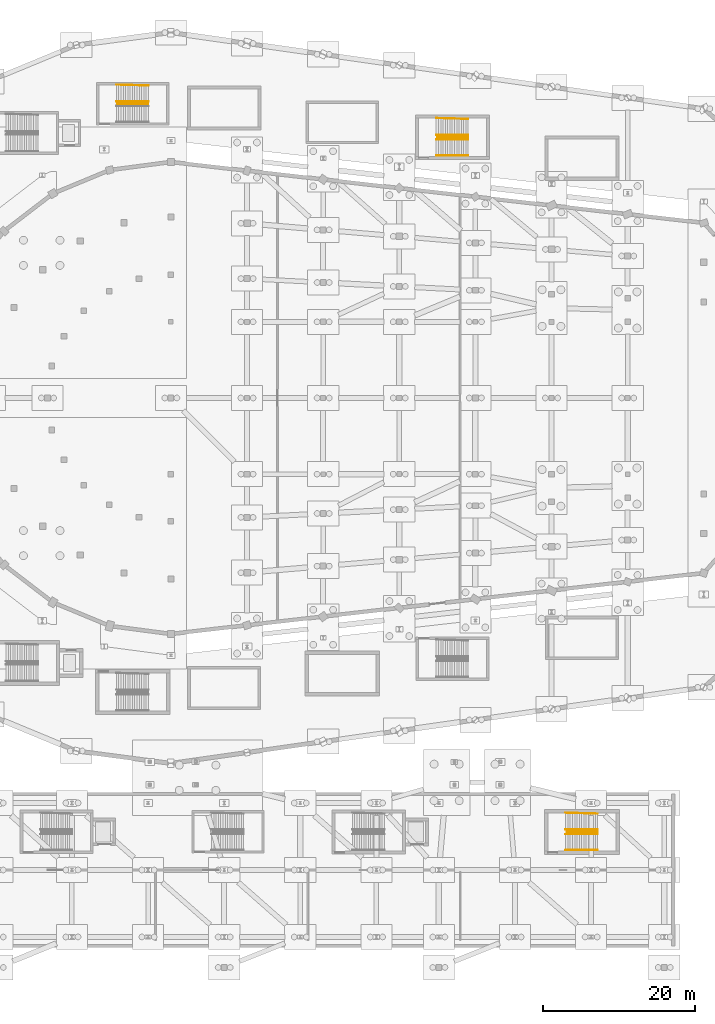
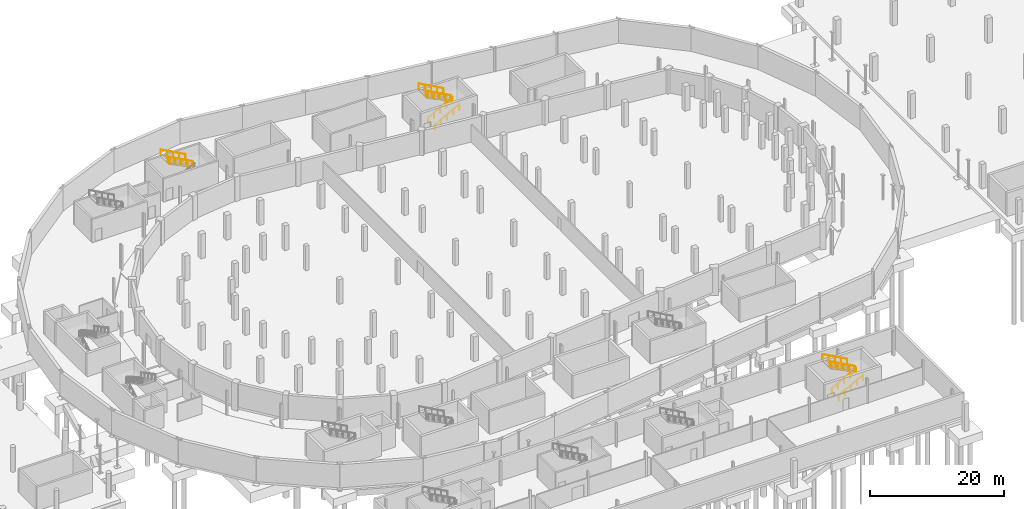
# One storey, part 54 of 55: 13 railings.
"""IFC4 building model written with IfcOpenShell, lengths in metres."""

from ifc_helpers import new_model, si_unit, direction, frame, origin, origin_2d, place, context, subcontext, project, spatial, circle, extrude, material, type_object, element, save


model = new_model("IFC4")

# Units and contexts
model_context = context("Model", 3, precision=1e-05, world=origin(), true_north=direction((0.0, 1.0)))
body_context = subcontext(model_context, "Body", "Model", "MODEL_VIEW")
ifc_project = project(units=[si_unit("LENGTHUNIT", "METRE"), si_unit("AREAUNIT", "SQUARE_METRE"), si_unit("VOLUMEUNIT", "CUBIC_METRE"), si_unit("PLANEANGLEUNIT", "RADIAN"), si_unit("MASSUNIT", "GRAM", prefix="KILO")], contexts=[model_context])

# Site, building, storey
site_placement = place(None, origin())
site = spatial("IfcSite", under=ifc_project, at=site_placement, CompositionType="ELEMENT")
building_placement = place(site_placement, origin())
building = spatial("IfcBuilding", under=site, at=building_placement, Name="Sohan Crest Arena", CompositionType="ELEMENT")
storey_placement = place(building_placement, frame((0.0, 0.0, -4.5)))
storey = spatial("IfcBuildingStorey", under=building, at=storey_placement, Name="B1", CompositionType="ELEMENT", Elevation=-4.5)

# Railings
ifc_material_1 = material(Name="Powder-coated wrought steel balustrade", Category="steel")
railing_type_1 = type_object("IfcRailingType", Name="ARC-GRD-01", PredefinedType="GUARDRAIL", material=ifc_material_1)
for number, where, name in (
    (1, (154.030029296875, 21.0, 2.25), "Stair well slot guard GRD-061"),
    (2, (95.030029296875, 116.639892578125, 2.25), "Stair well slot guard GRD-105"),
    (3, (137.030029296875, 112.25, 2.25), "Stair well slot guard GRD-117"),
):
    element("IfcRailing", number, at=place(storey_placement, frame(where)), inside=storey, type_object=railing_type_1, Name=name, PredefinedType="GUARDRAIL", context=body_context, shape_type="SweptSolid", body=[
        extrude(circle(Radius=0.02392578125, at=origin_2d()), frame((0.0, 0.0, 1.076171875), z_axis=(-0.87313487534, 0.0, 0.487478706678), x_axis=(0.0, -1.0, 0.0)), (0.0, 0.0, 1.0), 4.615478515625),
        extrude(circle(Radius=0.02099609375, at=origin_2d()), origin(), (0.0, 0.0, 1.0), 1.052001953125),
        extrude(circle(Radius=0.02099609375, at=origin_2d()), frame((-1.007568359375, 0.0, 0.5625)), (0.0, 0.0, 1.0), 1.052001953125),
        extrude(circle(Radius=0.02099609375, at=origin_2d()), frame((-2.01513671875, 0.0, 1.125)), (0.0, 0.0, 1.0), 1.052001953125),
        extrude(circle(Radius=0.02099609375, at=origin_2d()), frame((-3.0224609375, 0.0, 1.6875)), (0.0, 0.0, 1.0), 1.052001953125),
        extrude(circle(Radius=0.02099609375, at=origin_2d()), frame((-4.030029296875, 0.0, 2.25)), (0.0, 0.0, 1.0), 1.052001953125),
    ])
ifc_material_2 = material(Name="Brushed stainless steel stair handrail", Category="steel")
railing_type_2 = type_object("IfcRailingType", Name="ARC-HR-01", PredefinedType="HANDRAIL", material=ifc_material_2)
for number, where, name in (
    (4, (149.85009765625, 18.610107421875, 0.0), "Stair pitch handrail HR-201"),
    (5, (149.85009765625, 20.68994140625, 0.0), "Stair pitch handrail HR-202"),
):
    element("IfcRailing", number, at=place(storey_placement, frame(where)), inside=storey, type_object=railing_type_2, Name=name, PredefinedType="HANDRAIL", context=body_context, shape_type="SweptSolid", body=[
        extrude(circle(Radius=0.02392578125, at=origin_2d()), frame((0.0, 0.0, 0.97607421875), z_axis=(0.881477684796, 0.0, 0.472225678258), x_axis=(0.0, 1.0, 0.0)), (0.0, 0.0, 1.0), 4.7646484375),
        extrude(circle(Radius=0.02099609375, at=origin_2d()), origin(), (0.0, 0.0, 1.0), 0.951904296875),
        extrude(circle(Radius=0.02099609375, at=origin_2d()), frame((1.050048828125, 0.0, 0.5625)), (0.0, 0.0, 1.0), 0.951904296875),
        extrude(circle(Radius=0.02099609375, at=origin_2d()), frame((2.10009765625, 0.0, 1.125)), (0.0, 0.0, 1.0), 0.951904296875),
        extrude(circle(Radius=0.02099609375, at=origin_2d()), frame((3.14990234375, 0.0, 1.6875)), (0.0, 0.0, 1.0), 0.951904296875),
        extrude(circle(Radius=0.02099609375, at=origin_2d()), frame((4.199951171875, 0.0, 2.25)), (0.0, 0.0, 1.0), 0.951904296875),
    ])
railing_1_placement = place(storey_placement, frame((154.050048828125, 21.31005859375, 2.25)))
element("IfcRailing", 6, at=railing_1_placement, inside=storey, type_object=railing_type_2, Name="Stair pitch handrail HR-203", PredefinedType="HANDRAIL", context=body_context, shape_type="SweptSolid", body=[
    extrude(circle(Radius=0.02392578125, at=origin_2d()), frame((0.0, 0.0, 0.97607421875), z_axis=(-0.881477684796, 0.0, 0.472225678258), x_axis=(0.0, -1.0, 0.0)), (0.0, 0.0, 1.0), 4.7646484375),
    extrude(circle(Radius=0.02099609375, at=origin_2d()), origin(), (0.0, 0.0, 1.0), 0.951904296875),
    extrude(circle(Radius=0.02099609375, at=origin_2d()), frame((-1.050048828125, 0.0, 0.5625)), (0.0, 0.0, 1.0), 0.951904296875),
    extrude(circle(Radius=0.02099609375, at=origin_2d()), frame((-2.10009765625, 0.0, 1.125)), (0.0, 0.0, 1.0), 0.951904296875),
    extrude(circle(Radius=0.02099609375, at=origin_2d()), frame((-3.14990234375, 0.0, 1.6875)), (0.0, 0.0, 1.0), 0.951904296875),
    extrude(circle(Radius=0.02099609375, at=origin_2d()), frame((-4.199951171875, 0.0, 2.25)), (0.0, 0.0, 1.0), 0.951904296875),
])
railing_2_placement = place(storey_placement, frame((154.050048828125, 23.389892578125, 2.25)))
element("IfcRailing", 7, at=railing_2_placement, inside=storey, type_object=railing_type_2, Name="Stair pitch handrail HR-204", PredefinedType="HANDRAIL", context=body_context, shape_type="SweptSolid", body=[
    extrude(circle(Radius=0.02392578125, at=origin_2d()), frame((0.0, 0.0, 0.97607421875), z_axis=(-0.881197710057, 0.025201957411, 0.472075690047), x_axis=(-0.028587973606, -0.999591280357, 0.0)), (0.0, 0.0, 1.0), 4.76611328125),
    extrude(circle(Radius=0.02099609375, at=origin_2d()), origin(), (0.0, 0.0, 1.0), 0.951904296875),
    extrude(circle(Radius=0.02099609375, at=origin_2d()), frame((-1.050048828125, 0.030029296875, 0.5625)), (0.0, 0.0, 1.0), 0.951904296875),
    extrude(circle(Radius=0.02099609375, at=origin_2d()), frame((-2.10009765625, 0.06005859375, 1.125)), (0.0, 0.0, 1.0), 0.951904296875),
    extrude(circle(Radius=0.02099609375, at=origin_2d()), frame((-3.14990234375, 0.090087890625, 1.6875)), (0.0, 0.0, 1.0), 0.951904296875),
    extrude(circle(Radius=0.02099609375, at=origin_2d()), frame((-4.199951171875, 0.1201171875, 2.25)), (0.0, 0.0, 1.0), 0.951904296875),
])
railing_3_placement = place(storey_placement, frame((95.050048828125, 116.949951171875, 2.25)))
element("IfcRailing", 8, at=railing_3_placement, inside=storey, type_object=railing_type_2, Name="Stair pitch handrail HR-343", PredefinedType="HANDRAIL", context=body_context, shape_type="SweptSolid", body=[
    extrude(circle(Radius=0.02392578125, at=origin_2d()), frame((0.0, 0.0, 0.97607421875), z_axis=(-0.881477684796, 0.0, 0.472225678258), x_axis=(0.0, -1.0, 0.0)), (0.0, 0.0, 1.0), 4.7646484375),
    extrude(circle(Radius=0.02099609375, at=origin_2d()), origin(), (0.0, 0.0, 1.0), 0.951904296875),
    extrude(circle(Radius=0.02099609375, at=origin_2d()), frame((-1.050048828125, 0.0, 0.5625)), (0.0, 0.0, 1.0), 0.951904296875),
    extrude(circle(Radius=0.02099609375, at=origin_2d()), frame((-2.10009765625, 0.0, 1.125)), (0.0, 0.0, 1.0), 0.951904296875),
    extrude(circle(Radius=0.02099609375, at=origin_2d()), frame((-3.14990234375, 0.0, 1.6875)), (0.0, 0.0, 1.0), 0.951904296875),
    extrude(circle(Radius=0.02099609375, at=origin_2d()), frame((-4.199951171875, 0.0, 2.25)), (0.0, 0.0, 1.0), 0.951904296875),
])
railing_4_placement = place(storey_placement, frame((95.050048828125, 119.030029296875, 2.25)))
element("IfcRailing", 9, at=railing_4_placement, inside=storey, type_object=railing_type_2, Name="Stair pitch handrail HR-344", PredefinedType="HANDRAIL", context=body_context, shape_type="SweptSolid", body=[
    extrude(circle(Radius=0.02392578125, at=origin_2d()), frame((0.0, 0.0, 0.97607421875), z_axis=(-0.881198846469, 0.025150766356, 0.472076298847), x_axis=(-0.028529915312, -0.999592939117, 0.0)), (0.0, 0.0, 1.0), 4.76611328125),
    extrude(circle(Radius=0.02099609375, at=origin_2d()), origin(), (0.0, 0.0, 1.0), 0.951904296875),
    extrude(circle(Radius=0.02099609375, at=origin_2d()), frame((-1.050048828125, 0.030029296875, 0.5625)), (0.0, 0.0, 1.0), 0.951904296875),
    extrude(circle(Radius=0.02099609375, at=origin_2d()), frame((-2.10009765625, 0.06005859375, 1.125)), (0.0, 0.0, 1.0), 0.951904296875),
    extrude(circle(Radius=0.02099609375, at=origin_2d()), frame((-3.14990234375, 0.08984375, 1.6875)), (0.0, 0.0, 1.0), 0.951904296875),
    extrude(circle(Radius=0.02099609375, at=origin_2d()), frame((-4.199951171875, 0.119873046875, 2.25)), (0.0, 0.0, 1.0), 0.951904296875),
])
for number, where, name in (
    (10, (132.85009765625, 109.860107421875, 0.0), "Stair pitch handrail HR-381"),
    (11, (132.85009765625, 111.93994140625, 0.0), "Stair pitch handrail HR-382"),
):
    element("IfcRailing", number, at=place(storey_placement, frame(where)), inside=storey, type_object=railing_type_2, Name=name, PredefinedType="HANDRAIL", context=body_context, shape_type="SweptSolid", body=[
        extrude(circle(Radius=0.02392578125, at=origin_2d()), frame((0.0, 0.0, 0.97607421875), z_axis=(0.881477684796, 0.0, 0.472225678258), x_axis=(0.0, 1.0, 0.0)), (0.0, 0.0, 1.0), 4.7646484375),
        extrude(circle(Radius=0.02099609375, at=origin_2d()), origin(), (0.0, 0.0, 1.0), 0.951904296875),
        extrude(circle(Radius=0.02099609375, at=origin_2d()), frame((1.050048828125, 0.0, 0.5625)), (0.0, 0.0, 1.0), 0.951904296875),
        extrude(circle(Radius=0.02099609375, at=origin_2d()), frame((2.10009765625, 0.0, 1.125)), (0.0, 0.0, 1.0), 0.951904296875),
        extrude(circle(Radius=0.02099609375, at=origin_2d()), frame((3.14990234375, 0.0, 1.6875)), (0.0, 0.0, 1.0), 0.951904296875),
        extrude(circle(Radius=0.02099609375, at=origin_2d()), frame((4.199951171875, 0.0, 2.25)), (0.0, 0.0, 1.0), 0.951904296875),
    ])
railing_5_placement = place(storey_placement, frame((137.050048828125, 112.56005859375, 2.25)))
element("IfcRailing", 12, at=railing_5_placement, inside=storey, type_object=railing_type_2, Name="Stair pitch handrail HR-383", PredefinedType="HANDRAIL", context=body_context, shape_type="SweptSolid", body=[
    extrude(circle(Radius=0.02392578125, at=origin_2d()), frame((0.0, 0.0, 0.97607421875), z_axis=(-0.881477684796, 0.0, 0.472225678258), x_axis=(0.0, -1.0, 0.0)), (0.0, 0.0, 1.0), 4.7646484375),
    extrude(circle(Radius=0.02099609375, at=origin_2d()), origin(), (0.0, 0.0, 1.0), 0.951904296875),
    extrude(circle(Radius=0.02099609375, at=origin_2d()), frame((-1.050048828125, 0.0, 0.5625)), (0.0, 0.0, 1.0), 0.951904296875),
    extrude(circle(Radius=0.02099609375, at=origin_2d()), frame((-2.10009765625, 0.0, 1.125)), (0.0, 0.0, 1.0), 0.951904296875),
    extrude(circle(Radius=0.02099609375, at=origin_2d()), frame((-3.14990234375, 0.0, 1.6875)), (0.0, 0.0, 1.0), 0.951904296875),
    extrude(circle(Radius=0.02099609375, at=origin_2d()), frame((-4.199951171875, 0.0, 2.25)), (0.0, 0.0, 1.0), 0.951904296875),
])
railing_6_placement = place(storey_placement, frame((137.050048828125, 114.639892578125, 2.25)))
element("IfcRailing", 13, at=railing_6_placement, inside=storey, type_object=railing_type_2, Name="Stair pitch handrail HR-384", PredefinedType="HANDRAIL", context=body_context, shape_type="SweptSolid", body=[
    extrude(circle(Radius=0.02392578125, at=origin_2d()), frame((0.0, 0.0, 0.97607421875), z_axis=(-0.881197710057, 0.025201957411, 0.472075690047), x_axis=(-0.028587973606, -0.999591280357, 0.0)), (0.0, 0.0, 1.0), 4.76611328125),
    extrude(circle(Radius=0.02099609375, at=origin_2d()), origin(), (0.0, 0.0, 1.0), 0.951904296875),
    extrude(circle(Radius=0.02099609375, at=origin_2d()), frame((-1.050048828125, 0.030029296875, 0.5625)), (0.0, 0.0, 1.0), 0.951904296875),
    extrude(circle(Radius=0.02099609375, at=origin_2d()), frame((-2.10009765625, 0.06005859375, 1.125)), (0.0, 0.0, 1.0), 0.951904296875),
    extrude(circle(Radius=0.02099609375, at=origin_2d()), frame((-3.14990234375, 0.090087890625, 1.6875)), (0.0, 0.0, 1.0), 0.951904296875),
    extrude(circle(Radius=0.02099609375, at=origin_2d()), frame((-4.199951171875, 0.1201171875, 2.25)), (0.0, 0.0, 1.0), 0.951904296875),
])

save(model, "model.ifc")
